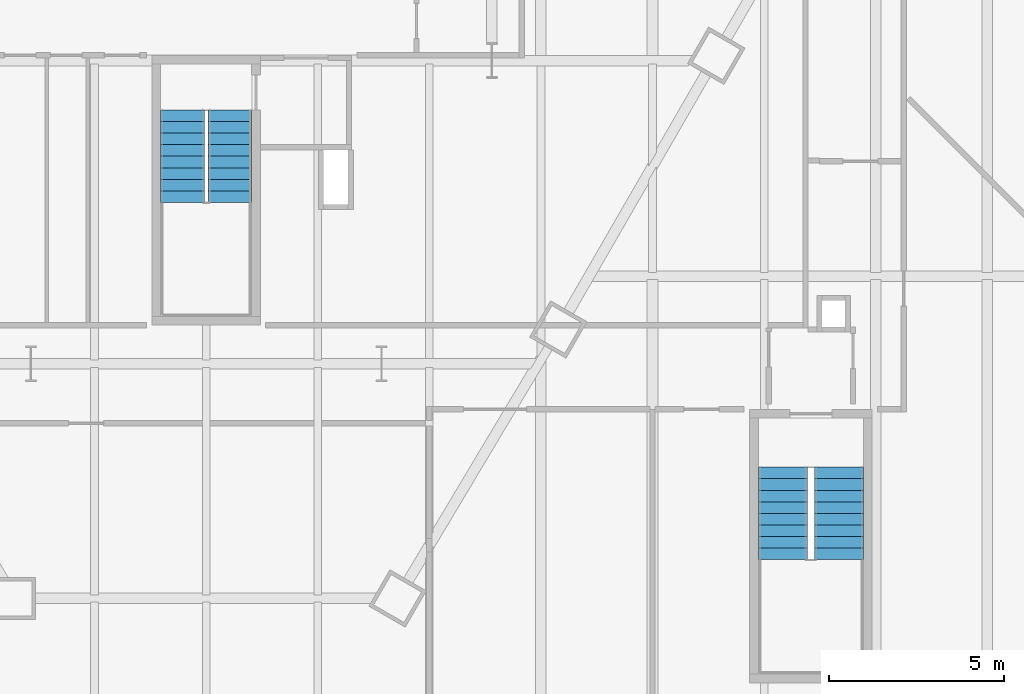
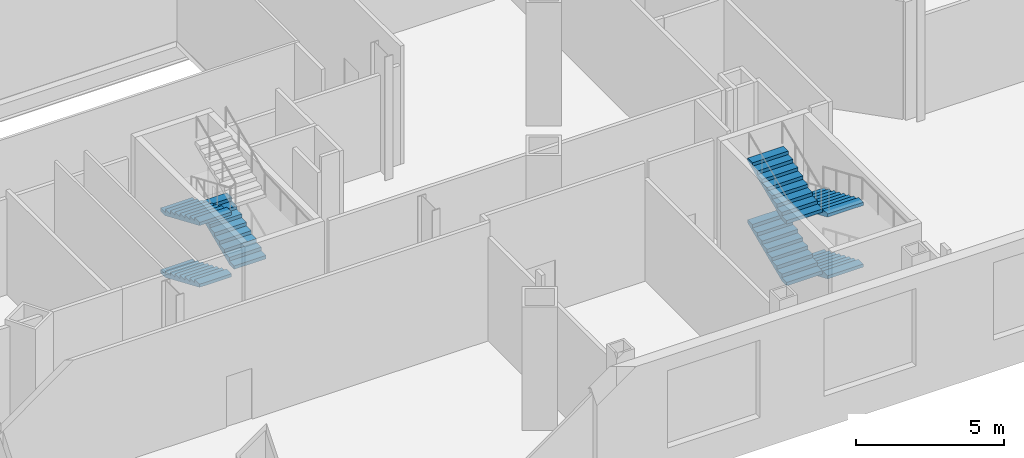
# One storey, part 16 of 20: 7 stair flights, 2 elements without a shape of their own.
"""IFC4 building model written with IfcOpenShell, lengths in metres."""

from ifc_helpers import new_model, si_unit, direction, frame, origin, place, context, subcontext, project, spatial, polygons, material, type_object, element, aggregate, save


model = new_model("IFC4")

# Units and contexts
model_context = context("Model", 3, precision=1e-05, world=origin(), true_north=direction((0.0, 1.0)))
body_context = subcontext(model_context, "Body", "Model", "MODEL_VIEW")
ifc_project = project(units=[si_unit("LENGTHUNIT", "METRE"), si_unit("AREAUNIT", "SQUARE_METRE"), si_unit("VOLUMEUNIT", "CUBIC_METRE"), si_unit("PLANEANGLEUNIT", "RADIAN"), si_unit("MASSUNIT", "GRAM", prefix="KILO")], contexts=[model_context])

# Site, building, storey
site_placement = place(None, origin())
site = spatial("IfcSite", under=ifc_project, at=site_placement, CompositionType="ELEMENT")
building_placement = place(site_placement, origin())
building = spatial("IfcBuilding", under=site, at=building_placement, Name="Njiva Tower", CompositionType="ELEMENT")
storey_placement = place(building_placement, frame((0.0, 0.0, 18.6)))
storey = spatial("IfcBuildingStorey", under=building, at=storey_placement, Name="L03", CompositionType="ELEMENT", Elevation=18.6)

# Stair, stair flights
ifc_material = material(Name="Concrete C40/50", Category="concrete")
stair_type_1 = type_object("IfcStairType", Name="ST1 Exit stair 1250", PredefinedType="HALF_TURN_STAIR", material=ifc_material)
stair_1_placement = place(storey_placement, origin())
stair_1 = element("IfcStair", 1, at=stair_1_placement, inside=storey, type_object=stair_type_1, Name="Stair C", PredefinedType="DOUBLE_RETURN_STAIR")
stair_flight_type_1 = type_object("IfcStairFlightType", Name="FL1 Stair flight 1250", PredefinedType="STRAIGHT", material=ifc_material)
stair_flight_1_placement = place(storey_placement, frame((-0.675, -15.16, 0.0), z_axis=(0.0, 0.0, 1.0), x_axis=(0.0, -1.0, 0.0)))
stair_flight_1 = element("IfcStairFlight", 2, at=stair_flight_1_placement, type_object=stair_flight_type_1, Name="ST-C flight 1", NumberOfRisers=9, NumberOfTreads=8, PredefinedType="STRAIGHT", RiserHeight=0.141666667, TreadLength=0.33, context=body_context, shape_type="Tessellation", body=[
    polygons([(0.0, 0.625, 0.0), (0.0, 0.3125, 0.0), (0.0, 0.0, 0.0), (0.0, -0.3125, 0.0), (0.0, -0.625, 0.0), (0.0, 0.625, 0.1417), (0.0, 0.3125, 0.1417), (0.0, 0.0, 0.1417), (0.0, -0.3125, 0.1417), (0.0, -0.625, 0.1417), (0.33, 0.625, 0.1417), (0.33, 0.3125, 0.1417), (0.33, 0.0, 0.1417), (0.33, -0.3125, 0.1417), (0.33, -0.625, 0.1417), (0.33, 0.625, 0.2833), (0.33, 0.3125, 0.2833), (0.33, 0.0, 0.2833), (0.33, -0.3125, 0.2833), (0.33, -0.625, 0.2833), (0.66, 0.625, 0.2833), (0.66, 0.3125, 0.2833), (0.66, 0.0, 0.2833), (0.66, -0.3125, 0.2833), (0.66, -0.625, 0.2833), (0.66, 0.625, 0.425), (0.66, 0.3125, 0.425), (0.66, 0.0, 0.425), (0.66, -0.3125, 0.425), (0.66, -0.625, 0.425), (0.99, 0.625, 0.425), (0.99, 0.3125, 0.425), (0.99, 0.0, 0.425), (0.99, -0.3125, 0.425), (0.99, -0.625, 0.425), (0.99, 0.625, 0.5667), (0.99, 0.3125, 0.5667), (0.99, 0.0, 0.5667), (0.99, -0.3125, 0.5667), (0.99, -0.625, 0.5667), (1.32, 0.625, 0.5667), (1.32, 0.3125, 0.5667), (1.32, 0.0, 0.5667), (1.32, -0.3125, 0.5667), (1.32, -0.625, 0.5667), (1.32, 0.625, 0.7083), (1.32, 0.3125, 0.7083), (1.32, 0.0, 0.7083), (1.32, -0.3125, 0.7083), (1.32, -0.625, 0.7083), (1.65, 0.625, 0.7083), (1.65, 0.3125, 0.7083), (1.65, 0.0, 0.7083), (1.65, -0.3125, 0.7083), (1.65, -0.625, 0.7083), (1.65, 0.625, 0.85), (1.65, 0.3125, 0.85), (1.65, 0.0, 0.85), (1.65, -0.3125, 0.85), (1.65, -0.625, 0.85), (1.98, 0.625, 0.85), (1.98, 0.3125, 0.85), (1.98, 0.0, 0.85), (1.98, -0.3125, 0.85), (1.98, -0.625, 0.85), (1.98, 0.625, 0.9917), (1.98, 0.3125, 0.9917), (1.98, 0.0, 0.9917), (1.98, -0.3125, 0.9917), (1.98, -0.625, 0.9917), (2.31, 0.625, 0.9917), (2.31, 0.3125, 0.9917), (2.31, 0.0, 0.9917), (2.31, -0.3125, 0.9917), (2.31, -0.625, 0.9917), (2.31, 0.625, 1.1333), (2.31, 0.3125, 1.1333), (2.31, 0.0, 1.1333), (2.31, -0.3125, 1.1333), (2.31, -0.625, 1.1333), (2.64, 0.625, 1.1333), (2.64, 0.3125, 1.1333), (2.64, 0.0, 1.1333), (2.64, -0.3125, 1.1333), (2.64, -0.625, 1.1333), (2.64, 0.625, 1.0027), (2.64, 0.3125, 1.0027), (2.64, 0.0, 1.0027), (2.64, -0.3125, 1.0027), (2.64, -0.625, 1.0027), (0.3042, 0.625, 0.0), (0.3042, 0.3125, 0.0), (0.3042, 0.0, 0.0), (0.3042, -0.3125, 0.0), (0.3042, -0.625, 0.0)], [[[1, 6, 11, 16, 21, 26, 31, 36, 41, 46, 51, 56, 61, 66, 71, 76, 81, 86, 91]], [[95, 90, 85, 80, 75, 70, 65, 60, 55, 50, 45, 40, 35, 30, 25, 20, 15, 10, 5]], [[6, 1, 2, 7]], [[7, 2, 3, 8]], [[8, 3, 4, 9]], [[9, 4, 5, 10]], [[11, 6, 7, 12]], [[12, 7, 8, 13]], [[13, 8, 9, 14]], [[14, 9, 10, 15]], [[16, 11, 12, 17]], [[17, 12, 13, 18]], [[18, 13, 14, 19]], [[19, 14, 15, 20]], [[21, 16, 17, 22]], [[22, 17, 18, 23]], [[23, 18, 19, 24]], [[24, 19, 20, 25]], [[26, 21, 22, 27]], [[27, 22, 23, 28]], [[28, 23, 24, 29]], [[29, 24, 25, 30]], [[31, 26, 27, 32]], [[32, 27, 28, 33]], [[33, 28, 29, 34]], [[34, 29, 30, 35]], [[36, 31, 32, 37]], [[37, 32, 33, 38]], [[38, 33, 34, 39]], [[39, 34, 35, 40]], [[41, 36, 37, 42]], [[42, 37, 38, 43]], [[43, 38, 39, 44]], [[44, 39, 40, 45]], [[46, 41, 42, 47]], [[47, 42, 43, 48]], [[48, 43, 44, 49]], [[49, 44, 45, 50]], [[51, 46, 47, 52]], [[52, 47, 48, 53]], [[53, 48, 49, 54]], [[54, 49, 50, 55]], [[56, 51, 52, 57]], [[57, 52, 53, 58]], [[58, 53, 54, 59]], [[59, 54, 55, 60]], [[61, 56, 57, 62]], [[62, 57, 58, 63]], [[63, 58, 59, 64]], [[64, 59, 60, 65]], [[66, 61, 62, 67]], [[67, 62, 63, 68]], [[68, 63, 64, 69]], [[69, 64, 65, 70]], [[71, 66, 67, 72]], [[72, 67, 68, 73]], [[73, 68, 69, 74]], [[74, 69, 70, 75]], [[76, 71, 72, 77]], [[77, 72, 73, 78]], [[78, 73, 74, 79]], [[79, 74, 75, 80]], [[81, 76, 77, 82]], [[82, 77, 78, 83]], [[83, 78, 79, 84]], [[84, 79, 80, 85]], [[86, 81, 82, 87]], [[87, 82, 83, 88]], [[88, 83, 84, 89]], [[89, 84, 85, 90]], [[91, 86, 87, 92]], [[92, 87, 88, 93]], [[93, 88, 89, 94]], [[94, 89, 90, 95]], [[1, 91, 92, 2]], [[2, 92, 93, 3]], [[3, 93, 94, 4]], [[4, 94, 95, 5]]], closed=True),
])
stair_flight_2_placement = place(storey_placement, frame((0.675, -17.8, 1.275), z_axis=(0.0, 0.0, 1.0), x_axis=(0.0, 1.0, 0.0)))
stair_flight_2 = element("IfcStairFlight", 3, at=stair_flight_2_placement, type_object=stair_flight_type_1, Name="ST-C flight 2", NumberOfRisers=9, NumberOfTreads=8, PredefinedType="STRAIGHT", RiserHeight=0.141666667, TreadLength=0.33, context=body_context, shape_type="Tessellation", body=[
    polygons([(0.0, 0.625, 0.0), (0.0, 0.3125, 0.0), (0.0, 0.0, 0.0), (0.0, -0.3125, 0.0), (0.0, -0.625, 0.0), (0.0, 0.625, 0.1417), (0.0, 0.3125, 0.1417), (0.0, 0.0, 0.1417), (0.0, -0.3125, 0.1417), (0.0, -0.625, 0.1417), (0.33, 0.625, 0.1417), (0.33, 0.3125, 0.1417), (0.33, 0.0, 0.1417), (0.33, -0.3125, 0.1417), (0.33, -0.625, 0.1417), (0.33, 0.625, 0.2833), (0.33, 0.3125, 0.2833), (0.33, 0.0, 0.2833), (0.33, -0.3125, 0.2833), (0.33, -0.625, 0.2833), (0.66, 0.625, 0.2833), (0.66, 0.3125, 0.2833), (0.66, 0.0, 0.2833), (0.66, -0.3125, 0.2833), (0.66, -0.625, 0.2833), (0.66, 0.625, 0.425), (0.66, 0.3125, 0.425), (0.66, 0.0, 0.425), (0.66, -0.3125, 0.425), (0.66, -0.625, 0.425), (0.99, 0.625, 0.425), (0.99, 0.3125, 0.425), (0.99, 0.0, 0.425), (0.99, -0.3125, 0.425), (0.99, -0.625, 0.425), (0.99, 0.625, 0.5667), (0.99, 0.3125, 0.5667), (0.99, 0.0, 0.5667), (0.99, -0.3125, 0.5667), (0.99, -0.625, 0.5667), (1.32, 0.625, 0.5667), (1.32, 0.3125, 0.5667), (1.32, 0.0, 0.5667), (1.32, -0.3125, 0.5667), (1.32, -0.625, 0.5667), (1.32, 0.625, 0.7083), (1.32, 0.3125, 0.7083), (1.32, 0.0, 0.7083), (1.32, -0.3125, 0.7083), (1.32, -0.625, 0.7083), (1.65, 0.625, 0.7083), (1.65, 0.3125, 0.7083), (1.65, 0.0, 0.7083), (1.65, -0.3125, 0.7083), (1.65, -0.625, 0.7083), (1.65, 0.625, 0.85), (1.65, 0.3125, 0.85), (1.65, 0.0, 0.85), (1.65, -0.3125, 0.85), (1.65, -0.625, 0.85), (1.98, 0.625, 0.85), (1.98, 0.3125, 0.85), (1.98, 0.0, 0.85), (1.98, -0.3125, 0.85), (1.98, -0.625, 0.85), (1.98, 0.625, 0.9917), (1.98, 0.3125, 0.9917), (1.98, 0.0, 0.9917), (1.98, -0.3125, 0.9917), (1.98, -0.625, 0.9917), (2.31, 0.625, 0.9917), (2.31, 0.3125, 0.9917), (2.31, 0.0, 0.9917), (2.31, -0.3125, 0.9917), (2.31, -0.625, 0.9917), (2.31, 0.625, 1.1333), (2.31, 0.3125, 1.1333), (2.31, 0.0, 1.1333), (2.31, -0.3125, 1.1333), (2.31, -0.625, 1.1333), (2.64, 0.625, 1.1333), (2.64, 0.3125, 1.1333), (2.64, 0.0, 1.1333), (2.64, -0.3125, 1.1333), (2.64, -0.625, 1.1333), (2.64, 0.625, 1.0027), (2.64, 0.3125, 1.0027), (2.64, 0.0, 1.0027), (2.64, -0.3125, 1.0027), (2.64, -0.625, 1.0027), (0.3042, 0.625, 0.0), (0.3042, 0.3125, 0.0), (0.3042, 0.0, 0.0), (0.3042, -0.3125, 0.0), (0.3042, -0.625, 0.0)], [[[1, 6, 11, 16, 21, 26, 31, 36, 41, 46, 51, 56, 61, 66, 71, 76, 81, 86, 91]], [[95, 90, 85, 80, 75, 70, 65, 60, 55, 50, 45, 40, 35, 30, 25, 20, 15, 10, 5]], [[6, 1, 2, 7]], [[7, 2, 3, 8]], [[8, 3, 4, 9]], [[9, 4, 5, 10]], [[11, 6, 7, 12]], [[12, 7, 8, 13]], [[13, 8, 9, 14]], [[14, 9, 10, 15]], [[16, 11, 12, 17]], [[17, 12, 13, 18]], [[18, 13, 14, 19]], [[19, 14, 15, 20]], [[21, 16, 17, 22]], [[22, 17, 18, 23]], [[23, 18, 19, 24]], [[24, 19, 20, 25]], [[26, 21, 22, 27]], [[27, 22, 23, 28]], [[28, 23, 24, 29]], [[29, 24, 25, 30]], [[31, 26, 27, 32]], [[32, 27, 28, 33]], [[33, 28, 29, 34]], [[34, 29, 30, 35]], [[36, 31, 32, 37]], [[37, 32, 33, 38]], [[38, 33, 34, 39]], [[39, 34, 35, 40]], [[41, 36, 37, 42]], [[42, 37, 38, 43]], [[43, 38, 39, 44]], [[44, 39, 40, 45]], [[46, 41, 42, 47]], [[47, 42, 43, 48]], [[48, 43, 44, 49]], [[49, 44, 45, 50]], [[51, 46, 47, 52]], [[52, 47, 48, 53]], [[53, 48, 49, 54]], [[54, 49, 50, 55]], [[56, 51, 52, 57]], [[57, 52, 53, 58]], [[58, 53, 54, 59]], [[59, 54, 55, 60]], [[61, 56, 57, 62]], [[62, 57, 58, 63]], [[63, 58, 59, 64]], [[64, 59, 60, 65]], [[66, 61, 62, 67]], [[67, 62, 63, 68]], [[68, 63, 64, 69]], [[69, 64, 65, 70]], [[71, 66, 67, 72]], [[72, 67, 68, 73]], [[73, 68, 69, 74]], [[74, 69, 70, 75]], [[76, 71, 72, 77]], [[77, 72, 73, 78]], [[78, 73, 74, 79]], [[79, 74, 75, 80]], [[81, 76, 77, 82]], [[82, 77, 78, 83]], [[83, 78, 79, 84]], [[84, 79, 80, 85]], [[86, 81, 82, 87]], [[87, 82, 83, 88]], [[88, 83, 84, 89]], [[89, 84, 85, 90]], [[91, 86, 87, 92]], [[92, 87, 88, 93]], [[93, 88, 89, 94]], [[94, 89, 90, 95]], [[1, 91, 92, 2]], [[2, 92, 93, 3]], [[3, 93, 94, 4]], [[4, 94, 95, 5]]], closed=True),
])
stair_flight_3_placement = place(storey_placement, frame((-0.675, -15.16, 2.55), z_axis=(0.0, 0.0, 1.0), x_axis=(0.0, -1.0, 0.0)))
stair_flight_3 = element("IfcStairFlight", 4, at=stair_flight_3_placement, type_object=stair_flight_type_1, Name="ST-C flight 3", NumberOfRisers=9, NumberOfTreads=8, PredefinedType="STRAIGHT", RiserHeight=0.141666667, TreadLength=0.33, context=body_context, shape_type="Tessellation", body=[
    polygons([(0.0, 0.625, 0.0), (0.0, 0.3125, 0.0), (0.0, 0.0, 0.0), (0.0, -0.3125, 0.0), (0.0, -0.625, 0.0), (0.0, 0.625, 0.1417), (0.0, 0.3125, 0.1417), (0.0, 0.0, 0.1417), (0.0, -0.3125, 0.1417), (0.0, -0.625, 0.1417), (0.33, 0.625, 0.1417), (0.33, 0.3125, 0.1417), (0.33, 0.0, 0.1417), (0.33, -0.3125, 0.1417), (0.33, -0.625, 0.1417), (0.33, 0.625, 0.2833), (0.33, 0.3125, 0.2833), (0.33, 0.0, 0.2833), (0.33, -0.3125, 0.2833), (0.33, -0.625, 0.2833), (0.66, 0.625, 0.2833), (0.66, 0.3125, 0.2833), (0.66, 0.0, 0.2833), (0.66, -0.3125, 0.2833), (0.66, -0.625, 0.2833), (0.66, 0.625, 0.425), (0.66, 0.3125, 0.425), (0.66, 0.0, 0.425), (0.66, -0.3125, 0.425), (0.66, -0.625, 0.425), (0.99, 0.625, 0.425), (0.99, 0.3125, 0.425), (0.99, 0.0, 0.425), (0.99, -0.3125, 0.425), (0.99, -0.625, 0.425), (0.99, 0.625, 0.5667), (0.99, 0.3125, 0.5667), (0.99, 0.0, 0.5667), (0.99, -0.3125, 0.5667), (0.99, -0.625, 0.5667), (1.32, 0.625, 0.5667), (1.32, 0.3125, 0.5667), (1.32, 0.0, 0.5667), (1.32, -0.3125, 0.5667), (1.32, -0.625, 0.5667), (1.32, 0.625, 0.7083), (1.32, 0.3125, 0.7083), (1.32, 0.0, 0.7083), (1.32, -0.3125, 0.7083), (1.32, -0.625, 0.7083), (1.65, 0.625, 0.7083), (1.65, 0.3125, 0.7083), (1.65, 0.0, 0.7083), (1.65, -0.3125, 0.7083), (1.65, -0.625, 0.7083), (1.65, 0.625, 0.85), (1.65, 0.3125, 0.85), (1.65, 0.0, 0.85), (1.65, -0.3125, 0.85), (1.65, -0.625, 0.85), (1.98, 0.625, 0.85), (1.98, 0.3125, 0.85), (1.98, 0.0, 0.85), (1.98, -0.3125, 0.85), (1.98, -0.625, 0.85), (1.98, 0.625, 0.9917), (1.98, 0.3125, 0.9917), (1.98, 0.0, 0.9917), (1.98, -0.3125, 0.9917), (1.98, -0.625, 0.9917), (2.31, 0.625, 0.9917), (2.31, 0.3125, 0.9917), (2.31, 0.0, 0.9917), (2.31, -0.3125, 0.9917), (2.31, -0.625, 0.9917), (2.31, 0.625, 1.1333), (2.31, 0.3125, 1.1333), (2.31, 0.0, 1.1333), (2.31, -0.3125, 1.1333), (2.31, -0.625, 1.1333), (2.64, 0.625, 1.1333), (2.64, 0.3125, 1.1333), (2.64, 0.0, 1.1333), (2.64, -0.3125, 1.1333), (2.64, -0.625, 1.1333), (2.64, 0.625, 1.0027), (2.64, 0.3125, 1.0027), (2.64, 0.0, 1.0027), (2.64, -0.3125, 1.0027), (2.64, -0.625, 1.0027), (0.3042, 0.625, 0.0), (0.3042, 0.3125, 0.0), (0.3042, 0.0, 0.0), (0.3042, -0.3125, 0.0), (0.3042, -0.625, 0.0)], [[[1, 6, 11, 16, 21, 26, 31, 36, 41, 46, 51, 56, 61, 66, 71, 76, 81, 86, 91]], [[95, 90, 85, 80, 75, 70, 65, 60, 55, 50, 45, 40, 35, 30, 25, 20, 15, 10, 5]], [[6, 1, 2, 7]], [[7, 2, 3, 8]], [[8, 3, 4, 9]], [[9, 4, 5, 10]], [[11, 6, 7, 12]], [[12, 7, 8, 13]], [[13, 8, 9, 14]], [[14, 9, 10, 15]], [[16, 11, 12, 17]], [[17, 12, 13, 18]], [[18, 13, 14, 19]], [[19, 14, 15, 20]], [[21, 16, 17, 22]], [[22, 17, 18, 23]], [[23, 18, 19, 24]], [[24, 19, 20, 25]], [[26, 21, 22, 27]], [[27, 22, 23, 28]], [[28, 23, 24, 29]], [[29, 24, 25, 30]], [[31, 26, 27, 32]], [[32, 27, 28, 33]], [[33, 28, 29, 34]], [[34, 29, 30, 35]], [[36, 31, 32, 37]], [[37, 32, 33, 38]], [[38, 33, 34, 39]], [[39, 34, 35, 40]], [[41, 36, 37, 42]], [[42, 37, 38, 43]], [[43, 38, 39, 44]], [[44, 39, 40, 45]], [[46, 41, 42, 47]], [[47, 42, 43, 48]], [[48, 43, 44, 49]], [[49, 44, 45, 50]], [[51, 46, 47, 52]], [[52, 47, 48, 53]], [[53, 48, 49, 54]], [[54, 49, 50, 55]], [[56, 51, 52, 57]], [[57, 52, 53, 58]], [[58, 53, 54, 59]], [[59, 54, 55, 60]], [[61, 56, 57, 62]], [[62, 57, 58, 63]], [[63, 58, 59, 64]], [[64, 59, 60, 65]], [[66, 61, 62, 67]], [[67, 62, 63, 68]], [[68, 63, 64, 69]], [[69, 64, 65, 70]], [[71, 66, 67, 72]], [[72, 67, 68, 73]], [[73, 68, 69, 74]], [[74, 69, 70, 75]], [[76, 71, 72, 77]], [[77, 72, 73, 78]], [[78, 73, 74, 79]], [[79, 74, 75, 80]], [[81, 76, 77, 82]], [[82, 77, 78, 83]], [[83, 78, 79, 84]], [[84, 79, 80, 85]], [[86, 81, 82, 87]], [[87, 82, 83, 88]], [[88, 83, 84, 89]], [[89, 84, 85, 90]], [[91, 86, 87, 92]], [[92, 87, 88, 93]], [[93, 88, 89, 94]], [[94, 89, 90, 95]], [[1, 91, 92, 2]], [[2, 92, 93, 3]], [[3, 93, 94, 4]], [[4, 94, 95, 5]]], closed=True),
])
aggregate(stair_1, [stair_flight_1, stair_flight_2, stair_flight_3])

stair_type_2 = type_object("IfcStairType", Name="ST2 Exit stair 1400", PredefinedType="HALF_TURN_STAIR", material=ifc_material)
stair_2_placement = place(storey_placement, origin())
stair_2 = element("IfcStair", 5, at=stair_2_placement, inside=storey, type_object=stair_type_2, Name="Stair E", PredefinedType="DOUBLE_RETURN_STAIR")
stair_flight_type_2 = type_object("IfcStairFlightType", Name="FL2 Stair flight 1400", PredefinedType="STRAIGHT", material=ifc_material)
stair_flight_4_placement = place(storey_placement, frame((18.05, -25.35, 0.0), z_axis=(0.0, 0.0, 1.0), x_axis=(0.0, -1.0, 0.0)))
stair_flight_4 = element("IfcStairFlight", 6, at=stair_flight_4_placement, type_object=stair_flight_type_2, Name="ST-E flight 1", NumberOfRisers=9, NumberOfTreads=8, PredefinedType="STRAIGHT", RiserHeight=0.141666667, TreadLength=0.33, context=body_context, shape_type="Tessellation", body=[
    polygons([(0.0, 0.7, 0.0), (0.0, 0.35, 0.0), (0.0, 0.0, 0.0), (0.0, -0.35, 0.0), (0.0, -0.7, 0.0), (0.0, 0.7, 0.1417), (0.0, 0.35, 0.1417), (0.0, 0.0, 0.1417), (0.0, -0.35, 0.1417), (0.0, -0.7, 0.1417), (0.33, 0.7, 0.1417), (0.33, 0.35, 0.1417), (0.33, 0.0, 0.1417), (0.33, -0.35, 0.1417), (0.33, -0.7, 0.1417), (0.33, 0.7, 0.2833), (0.33, 0.35, 0.2833), (0.33, 0.0, 0.2833), (0.33, -0.35, 0.2833), (0.33, -0.7, 0.2833), (0.66, 0.7, 0.2833), (0.66, 0.35, 0.2833), (0.66, 0.0, 0.2833), (0.66, -0.35, 0.2833), (0.66, -0.7, 0.2833), (0.66, 0.7, 0.425), (0.66, 0.35, 0.425), (0.66, 0.0, 0.425), (0.66, -0.35, 0.425), (0.66, -0.7, 0.425), (0.99, 0.7, 0.425), (0.99, 0.35, 0.425), (0.99, 0.0, 0.425), (0.99, -0.35, 0.425), (0.99, -0.7, 0.425), (0.99, 0.7, 0.5667), (0.99, 0.35, 0.5667), (0.99, 0.0, 0.5667), (0.99, -0.35, 0.5667), (0.99, -0.7, 0.5667), (1.32, 0.7, 0.5667), (1.32, 0.35, 0.5667), (1.32, 0.0, 0.5667), (1.32, -0.35, 0.5667), (1.32, -0.7, 0.5667), (1.32, 0.7, 0.7083), (1.32, 0.35, 0.7083), (1.32, 0.0, 0.7083), (1.32, -0.35, 0.7083), (1.32, -0.7, 0.7083), (1.65, 0.7, 0.7083), (1.65, 0.35, 0.7083), (1.65, 0.0, 0.7083), (1.65, -0.35, 0.7083), (1.65, -0.7, 0.7083), (1.65, 0.7, 0.85), (1.65, 0.35, 0.85), (1.65, 0.0, 0.85), (1.65, -0.35, 0.85), (1.65, -0.7, 0.85), (1.98, 0.7, 0.85), (1.98, 0.35, 0.85), (1.98, 0.0, 0.85), (1.98, -0.35, 0.85), (1.98, -0.7, 0.85), (1.98, 0.7, 0.9917), (1.98, 0.35, 0.9917), (1.98, 0.0, 0.9917), (1.98, -0.35, 0.9917), (1.98, -0.7, 0.9917), (2.31, 0.7, 0.9917), (2.31, 0.35, 0.9917), (2.31, 0.0, 0.9917), (2.31, -0.35, 0.9917), (2.31, -0.7, 0.9917), (2.31, 0.7, 1.1333), (2.31, 0.35, 1.1333), (2.31, 0.0, 1.1333), (2.31, -0.35, 1.1333), (2.31, -0.7, 1.1333), (2.64, 0.7, 1.1333), (2.64, 0.35, 1.1333), (2.64, 0.0, 1.1333), (2.64, -0.35, 1.1333), (2.64, -0.7, 1.1333), (2.64, 0.7, 1.0027), (2.64, 0.35, 1.0027), (2.64, 0.0, 1.0027), (2.64, -0.35, 1.0027), (2.64, -0.7, 1.0027), (0.3042, 0.7, 0.0), (0.3042, 0.35, 0.0), (0.3042, 0.0, 0.0), (0.3042, -0.35, 0.0), (0.3042, -0.7, 0.0)], [[[1, 6, 11, 16, 21, 26, 31, 36, 41, 46, 51, 56, 61, 66, 71, 76, 81, 86, 91]], [[95, 90, 85, 80, 75, 70, 65, 60, 55, 50, 45, 40, 35, 30, 25, 20, 15, 10, 5]], [[6, 1, 2, 7]], [[7, 2, 3, 8]], [[8, 3, 4, 9]], [[9, 4, 5, 10]], [[11, 6, 7, 12]], [[12, 7, 8, 13]], [[13, 8, 9, 14]], [[14, 9, 10, 15]], [[16, 11, 12, 17]], [[17, 12, 13, 18]], [[18, 13, 14, 19]], [[19, 14, 15, 20]], [[21, 16, 17, 22]], [[22, 17, 18, 23]], [[23, 18, 19, 24]], [[24, 19, 20, 25]], [[26, 21, 22, 27]], [[27, 22, 23, 28]], [[28, 23, 24, 29]], [[29, 24, 25, 30]], [[31, 26, 27, 32]], [[32, 27, 28, 33]], [[33, 28, 29, 34]], [[34, 29, 30, 35]], [[36, 31, 32, 37]], [[37, 32, 33, 38]], [[38, 33, 34, 39]], [[39, 34, 35, 40]], [[41, 36, 37, 42]], [[42, 37, 38, 43]], [[43, 38, 39, 44]], [[44, 39, 40, 45]], [[46, 41, 42, 47]], [[47, 42, 43, 48]], [[48, 43, 44, 49]], [[49, 44, 45, 50]], [[51, 46, 47, 52]], [[52, 47, 48, 53]], [[53, 48, 49, 54]], [[54, 49, 50, 55]], [[56, 51, 52, 57]], [[57, 52, 53, 58]], [[58, 53, 54, 59]], [[59, 54, 55, 60]], [[61, 56, 57, 62]], [[62, 57, 58, 63]], [[63, 58, 59, 64]], [[64, 59, 60, 65]], [[66, 61, 62, 67]], [[67, 62, 63, 68]], [[68, 63, 64, 69]], [[69, 64, 65, 70]], [[71, 66, 67, 72]], [[72, 67, 68, 73]], [[73, 68, 69, 74]], [[74, 69, 70, 75]], [[76, 71, 72, 77]], [[77, 72, 73, 78]], [[78, 73, 74, 79]], [[79, 74, 75, 80]], [[81, 76, 77, 82]], [[82, 77, 78, 83]], [[83, 78, 79, 84]], [[84, 79, 80, 85]], [[86, 81, 82, 87]], [[87, 82, 83, 88]], [[88, 83, 84, 89]], [[89, 84, 85, 90]], [[91, 86, 87, 92]], [[92, 87, 88, 93]], [[93, 88, 89, 94]], [[94, 89, 90, 95]], [[1, 91, 92, 2]], [[2, 92, 93, 3]], [[3, 93, 94, 4]], [[4, 94, 95, 5]]], closed=True),
])
stair_flight_5_placement = place(storey_placement, frame((16.45, -27.99, 1.275), z_axis=(0.0, 0.0, 1.0), x_axis=(0.0, 1.0, 0.0)))
stair_flight_5 = element("IfcStairFlight", 7, at=stair_flight_5_placement, type_object=stair_flight_type_2, Name="ST-E flight 2", NumberOfRisers=9, NumberOfTreads=8, PredefinedType="STRAIGHT", RiserHeight=0.141666667, TreadLength=0.33, context=body_context, shape_type="Tessellation", body=[
    polygons([(0.0, 0.7, 0.0), (0.0, 0.35, 0.0), (0.0, 0.0, 0.0), (0.0, -0.35, 0.0), (0.0, -0.7, 0.0), (0.0, 0.7, 0.1417), (0.0, 0.35, 0.1417), (0.0, 0.0, 0.1417), (0.0, -0.35, 0.1417), (0.0, -0.7, 0.1417), (0.33, 0.7, 0.1417), (0.33, 0.35, 0.1417), (0.33, 0.0, 0.1417), (0.33, -0.35, 0.1417), (0.33, -0.7, 0.1417), (0.33, 0.7, 0.2833), (0.33, 0.35, 0.2833), (0.33, 0.0, 0.2833), (0.33, -0.35, 0.2833), (0.33, -0.7, 0.2833), (0.66, 0.7, 0.2833), (0.66, 0.35, 0.2833), (0.66, 0.0, 0.2833), (0.66, -0.35, 0.2833), (0.66, -0.7, 0.2833), (0.66, 0.7, 0.425), (0.66, 0.35, 0.425), (0.66, 0.0, 0.425), (0.66, -0.35, 0.425), (0.66, -0.7, 0.425), (0.99, 0.7, 0.425), (0.99, 0.35, 0.425), (0.99, 0.0, 0.425), (0.99, -0.35, 0.425), (0.99, -0.7, 0.425), (0.99, 0.7, 0.5667), (0.99, 0.35, 0.5667), (0.99, 0.0, 0.5667), (0.99, -0.35, 0.5667), (0.99, -0.7, 0.5667), (1.32, 0.7, 0.5667), (1.32, 0.35, 0.5667), (1.32, 0.0, 0.5667), (1.32, -0.35, 0.5667), (1.32, -0.7, 0.5667), (1.32, 0.7, 0.7083), (1.32, 0.35, 0.7083), (1.32, 0.0, 0.7083), (1.32, -0.35, 0.7083), (1.32, -0.7, 0.7083), (1.65, 0.7, 0.7083), (1.65, 0.35, 0.7083), (1.65, 0.0, 0.7083), (1.65, -0.35, 0.7083), (1.65, -0.7, 0.7083), (1.65, 0.7, 0.85), (1.65, 0.35, 0.85), (1.65, 0.0, 0.85), (1.65, -0.35, 0.85), (1.65, -0.7, 0.85), (1.98, 0.7, 0.85), (1.98, 0.35, 0.85), (1.98, 0.0, 0.85), (1.98, -0.35, 0.85), (1.98, -0.7, 0.85), (1.98, 0.7, 0.9917), (1.98, 0.35, 0.9917), (1.98, 0.0, 0.9917), (1.98, -0.35, 0.9917), (1.98, -0.7, 0.9917), (2.31, 0.7, 0.9917), (2.31, 0.35, 0.9917), (2.31, 0.0, 0.9917), (2.31, -0.35, 0.9917), (2.31, -0.7, 0.9917), (2.31, 0.7, 1.1333), (2.31, 0.35, 1.1333), (2.31, 0.0, 1.1333), (2.31, -0.35, 1.1333), (2.31, -0.7, 1.1333), (2.64, 0.7, 1.1333), (2.64, 0.35, 1.1333), (2.64, 0.0, 1.1333), (2.64, -0.35, 1.1333), (2.64, -0.7, 1.1333), (2.64, 0.7, 1.0027), (2.64, 0.35, 1.0027), (2.64, 0.0, 1.0027), (2.64, -0.35, 1.0027), (2.64, -0.7, 1.0027), (0.3042, 0.7, 0.0), (0.3042, 0.35, 0.0), (0.3042, 0.0, 0.0), (0.3042, -0.35, 0.0), (0.3042, -0.7, 0.0)], [[[1, 6, 11, 16, 21, 26, 31, 36, 41, 46, 51, 56, 61, 66, 71, 76, 81, 86, 91]], [[95, 90, 85, 80, 75, 70, 65, 60, 55, 50, 45, 40, 35, 30, 25, 20, 15, 10, 5]], [[6, 1, 2, 7]], [[7, 2, 3, 8]], [[8, 3, 4, 9]], [[9, 4, 5, 10]], [[11, 6, 7, 12]], [[12, 7, 8, 13]], [[13, 8, 9, 14]], [[14, 9, 10, 15]], [[16, 11, 12, 17]], [[17, 12, 13, 18]], [[18, 13, 14, 19]], [[19, 14, 15, 20]], [[21, 16, 17, 22]], [[22, 17, 18, 23]], [[23, 18, 19, 24]], [[24, 19, 20, 25]], [[26, 21, 22, 27]], [[27, 22, 23, 28]], [[28, 23, 24, 29]], [[29, 24, 25, 30]], [[31, 26, 27, 32]], [[32, 27, 28, 33]], [[33, 28, 29, 34]], [[34, 29, 30, 35]], [[36, 31, 32, 37]], [[37, 32, 33, 38]], [[38, 33, 34, 39]], [[39, 34, 35, 40]], [[41, 36, 37, 42]], [[42, 37, 38, 43]], [[43, 38, 39, 44]], [[44, 39, 40, 45]], [[46, 41, 42, 47]], [[47, 42, 43, 48]], [[48, 43, 44, 49]], [[49, 44, 45, 50]], [[51, 46, 47, 52]], [[52, 47, 48, 53]], [[53, 48, 49, 54]], [[54, 49, 50, 55]], [[56, 51, 52, 57]], [[57, 52, 53, 58]], [[58, 53, 54, 59]], [[59, 54, 55, 60]], [[61, 56, 57, 62]], [[62, 57, 58, 63]], [[63, 58, 59, 64]], [[64, 59, 60, 65]], [[66, 61, 62, 67]], [[67, 62, 63, 68]], [[68, 63, 64, 69]], [[69, 64, 65, 70]], [[71, 66, 67, 72]], [[72, 67, 68, 73]], [[73, 68, 69, 74]], [[74, 69, 70, 75]], [[76, 71, 72, 77]], [[77, 72, 73, 78]], [[78, 73, 74, 79]], [[79, 74, 75, 80]], [[81, 76, 77, 82]], [[82, 77, 78, 83]], [[83, 78, 79, 84]], [[84, 79, 80, 85]], [[86, 81, 82, 87]], [[87, 82, 83, 88]], [[88, 83, 84, 89]], [[89, 84, 85, 90]], [[91, 86, 87, 92]], [[92, 87, 88, 93]], [[93, 88, 89, 94]], [[94, 89, 90, 95]], [[1, 91, 92, 2]], [[2, 92, 93, 3]], [[3, 93, 94, 4]], [[4, 94, 95, 5]]], closed=True),
])
stair_flight_6_placement = place(storey_placement, frame((18.05, -25.35, 2.55), z_axis=(0.0, 0.0, 1.0), x_axis=(0.0, -1.0, 0.0)))
stair_flight_6 = element("IfcStairFlight", 8, at=stair_flight_6_placement, type_object=stair_flight_type_2, Name="ST-E flight 3", NumberOfRisers=9, NumberOfTreads=8, PredefinedType="STRAIGHT", RiserHeight=0.141666667, TreadLength=0.33, context=body_context, shape_type="Tessellation", body=[
    polygons([(0.0, 0.7, 0.0), (0.0, 0.35, 0.0), (0.0, 0.0, 0.0), (0.0, -0.35, 0.0), (0.0, -0.7, 0.0), (0.0, 0.7, 0.1417), (0.0, 0.35, 0.1417), (0.0, 0.0, 0.1417), (0.0, -0.35, 0.1417), (0.0, -0.7, 0.1417), (0.33, 0.7, 0.1417), (0.33, 0.35, 0.1417), (0.33, 0.0, 0.1417), (0.33, -0.35, 0.1417), (0.33, -0.7, 0.1417), (0.33, 0.7, 0.2833), (0.33, 0.35, 0.2833), (0.33, 0.0, 0.2833), (0.33, -0.35, 0.2833), (0.33, -0.7, 0.2833), (0.66, 0.7, 0.2833), (0.66, 0.35, 0.2833), (0.66, 0.0, 0.2833), (0.66, -0.35, 0.2833), (0.66, -0.7, 0.2833), (0.66, 0.7, 0.425), (0.66, 0.35, 0.425), (0.66, 0.0, 0.425), (0.66, -0.35, 0.425), (0.66, -0.7, 0.425), (0.99, 0.7, 0.425), (0.99, 0.35, 0.425), (0.99, 0.0, 0.425), (0.99, -0.35, 0.425), (0.99, -0.7, 0.425), (0.99, 0.7, 0.5667), (0.99, 0.35, 0.5667), (0.99, 0.0, 0.5667), (0.99, -0.35, 0.5667), (0.99, -0.7, 0.5667), (1.32, 0.7, 0.5667), (1.32, 0.35, 0.5667), (1.32, 0.0, 0.5667), (1.32, -0.35, 0.5667), (1.32, -0.7, 0.5667), (1.32, 0.7, 0.7083), (1.32, 0.35, 0.7083), (1.32, 0.0, 0.7083), (1.32, -0.35, 0.7083), (1.32, -0.7, 0.7083), (1.65, 0.7, 0.7083), (1.65, 0.35, 0.7083), (1.65, 0.0, 0.7083), (1.65, -0.35, 0.7083), (1.65, -0.7, 0.7083), (1.65, 0.7, 0.85), (1.65, 0.35, 0.85), (1.65, 0.0, 0.85), (1.65, -0.35, 0.85), (1.65, -0.7, 0.85), (1.98, 0.7, 0.85), (1.98, 0.35, 0.85), (1.98, 0.0, 0.85), (1.98, -0.35, 0.85), (1.98, -0.7, 0.85), (1.98, 0.7, 0.9917), (1.98, 0.35, 0.9917), (1.98, 0.0, 0.9917), (1.98, -0.35, 0.9917), (1.98, -0.7, 0.9917), (2.31, 0.7, 0.9917), (2.31, 0.35, 0.9917), (2.31, 0.0, 0.9917), (2.31, -0.35, 0.9917), (2.31, -0.7, 0.9917), (2.31, 0.7, 1.1333), (2.31, 0.35, 1.1333), (2.31, 0.0, 1.1333), (2.31, -0.35, 1.1333), (2.31, -0.7, 1.1333), (2.64, 0.7, 1.1333), (2.64, 0.35, 1.1333), (2.64, 0.0, 1.1333), (2.64, -0.35, 1.1333), (2.64, -0.7, 1.1333), (2.64, 0.7, 1.0027), (2.64, 0.35, 1.0027), (2.64, 0.0, 1.0027), (2.64, -0.35, 1.0027), (2.64, -0.7, 1.0027), (0.3042, 0.7, 0.0), (0.3042, 0.35, 0.0), (0.3042, 0.0, 0.0), (0.3042, -0.35, 0.0), (0.3042, -0.7, 0.0)], [[[1, 6, 11, 16, 21, 26, 31, 36, 41, 46, 51, 56, 61, 66, 71, 76, 81, 86, 91]], [[95, 90, 85, 80, 75, 70, 65, 60, 55, 50, 45, 40, 35, 30, 25, 20, 15, 10, 5]], [[6, 1, 2, 7]], [[7, 2, 3, 8]], [[8, 3, 4, 9]], [[9, 4, 5, 10]], [[11, 6, 7, 12]], [[12, 7, 8, 13]], [[13, 8, 9, 14]], [[14, 9, 10, 15]], [[16, 11, 12, 17]], [[17, 12, 13, 18]], [[18, 13, 14, 19]], [[19, 14, 15, 20]], [[21, 16, 17, 22]], [[22, 17, 18, 23]], [[23, 18, 19, 24]], [[24, 19, 20, 25]], [[26, 21, 22, 27]], [[27, 22, 23, 28]], [[28, 23, 24, 29]], [[29, 24, 25, 30]], [[31, 26, 27, 32]], [[32, 27, 28, 33]], [[33, 28, 29, 34]], [[34, 29, 30, 35]], [[36, 31, 32, 37]], [[37, 32, 33, 38]], [[38, 33, 34, 39]], [[39, 34, 35, 40]], [[41, 36, 37, 42]], [[42, 37, 38, 43]], [[43, 38, 39, 44]], [[44, 39, 40, 45]], [[46, 41, 42, 47]], [[47, 42, 43, 48]], [[48, 43, 44, 49]], [[49, 44, 45, 50]], [[51, 46, 47, 52]], [[52, 47, 48, 53]], [[53, 48, 49, 54]], [[54, 49, 50, 55]], [[56, 51, 52, 57]], [[57, 52, 53, 58]], [[58, 53, 54, 59]], [[59, 54, 55, 60]], [[61, 56, 57, 62]], [[62, 57, 58, 63]], [[63, 58, 59, 64]], [[64, 59, 60, 65]], [[66, 61, 62, 67]], [[67, 62, 63, 68]], [[68, 63, 64, 69]], [[69, 64, 65, 70]], [[71, 66, 67, 72]], [[72, 67, 68, 73]], [[73, 68, 69, 74]], [[74, 69, 70, 75]], [[76, 71, 72, 77]], [[77, 72, 73, 78]], [[78, 73, 74, 79]], [[79, 74, 75, 80]], [[81, 76, 77, 82]], [[82, 77, 78, 83]], [[83, 78, 79, 84]], [[84, 79, 80, 85]], [[86, 81, 82, 87]], [[87, 82, 83, 88]], [[88, 83, 84, 89]], [[89, 84, 85, 90]], [[91, 86, 87, 92]], [[92, 87, 88, 93]], [[93, 88, 89, 94]], [[94, 89, 90, 95]], [[1, 91, 92, 2]], [[2, 92, 93, 3]], [[3, 93, 94, 4]], [[4, 94, 95, 5]]], closed=True),
])
stair_flight_7_placement = place(storey_placement, frame((16.45, -27.99, 3.825), z_axis=(0.0, 0.0, 1.0), x_axis=(0.0, 1.0, 0.0)))
stair_flight_7 = element("IfcStairFlight", 9, at=stair_flight_7_placement, type_object=stair_flight_type_2, Name="ST-E flight 4", NumberOfRisers=9, NumberOfTreads=8, PredefinedType="STRAIGHT", RiserHeight=0.141666667, TreadLength=0.33, context=body_context, shape_type="Tessellation", body=[
    polygons([(0.0, 0.7, 0.0), (0.0, 0.35, 0.0), (0.0, 0.0, 0.0), (0.0, -0.35, 0.0), (0.0, -0.7, 0.0), (0.0, 0.7, 0.1417), (0.0, 0.35, 0.1417), (0.0, 0.0, 0.1417), (0.0, -0.35, 0.1417), (0.0, -0.7, 0.1417), (0.33, 0.7, 0.1417), (0.33, 0.35, 0.1417), (0.33, 0.0, 0.1417), (0.33, -0.35, 0.1417), (0.33, -0.7, 0.1417), (0.33, 0.7, 0.2833), (0.33, 0.35, 0.2833), (0.33, 0.0, 0.2833), (0.33, -0.35, 0.2833), (0.33, -0.7, 0.2833), (0.66, 0.7, 0.2833), (0.66, 0.35, 0.2833), (0.66, 0.0, 0.2833), (0.66, -0.35, 0.2833), (0.66, -0.7, 0.2833), (0.66, 0.7, 0.425), (0.66, 0.35, 0.425), (0.66, 0.0, 0.425), (0.66, -0.35, 0.425), (0.66, -0.7, 0.425), (0.99, 0.7, 0.425), (0.99, 0.35, 0.425), (0.99, 0.0, 0.425), (0.99, -0.35, 0.425), (0.99, -0.7, 0.425), (0.99, 0.7, 0.5667), (0.99, 0.35, 0.5667), (0.99, 0.0, 0.5667), (0.99, -0.35, 0.5667), (0.99, -0.7, 0.5667), (1.32, 0.7, 0.5667), (1.32, 0.35, 0.5667), (1.32, 0.0, 0.5667), (1.32, -0.35, 0.5667), (1.32, -0.7, 0.5667), (1.32, 0.7, 0.7083), (1.32, 0.35, 0.7083), (1.32, 0.0, 0.7083), (1.32, -0.35, 0.7083), (1.32, -0.7, 0.7083), (1.65, 0.7, 0.7083), (1.65, 0.35, 0.7083), (1.65, 0.0, 0.7083), (1.65, -0.35, 0.7083), (1.65, -0.7, 0.7083), (1.65, 0.7, 0.85), (1.65, 0.35, 0.85), (1.65, 0.0, 0.85), (1.65, -0.35, 0.85), (1.65, -0.7, 0.85), (1.98, 0.7, 0.85), (1.98, 0.35, 0.85), (1.98, 0.0, 0.85), (1.98, -0.35, 0.85), (1.98, -0.7, 0.85), (1.98, 0.7, 0.9917), (1.98, 0.35, 0.9917), (1.98, 0.0, 0.9917), (1.98, -0.35, 0.9917), (1.98, -0.7, 0.9917), (2.31, 0.7, 0.9917), (2.31, 0.35, 0.9917), (2.31, 0.0, 0.9917), (2.31, -0.35, 0.9917), (2.31, -0.7, 0.9917), (2.31, 0.7, 1.1333), (2.31, 0.35, 1.1333), (2.31, 0.0, 1.1333), (2.31, -0.35, 1.1333), (2.31, -0.7, 1.1333), (2.64, 0.7, 1.1333), (2.64, 0.35, 1.1333), (2.64, 0.0, 1.1333), (2.64, -0.35, 1.1333), (2.64, -0.7, 1.1333), (2.64, 0.7, 1.0027), (2.64, 0.35, 1.0027), (2.64, 0.0, 1.0027), (2.64, -0.35, 1.0027), (2.64, -0.7, 1.0027), (0.3042, 0.7, 0.0), (0.3042, 0.35, 0.0), (0.3042, 0.0, 0.0), (0.3042, -0.35, 0.0), (0.3042, -0.7, 0.0)], [[[1, 6, 11, 16, 21, 26, 31, 36, 41, 46, 51, 56, 61, 66, 71, 76, 81, 86, 91]], [[95, 90, 85, 80, 75, 70, 65, 60, 55, 50, 45, 40, 35, 30, 25, 20, 15, 10, 5]], [[6, 1, 2, 7]], [[7, 2, 3, 8]], [[8, 3, 4, 9]], [[9, 4, 5, 10]], [[11, 6, 7, 12]], [[12, 7, 8, 13]], [[13, 8, 9, 14]], [[14, 9, 10, 15]], [[16, 11, 12, 17]], [[17, 12, 13, 18]], [[18, 13, 14, 19]], [[19, 14, 15, 20]], [[21, 16, 17, 22]], [[22, 17, 18, 23]], [[23, 18, 19, 24]], [[24, 19, 20, 25]], [[26, 21, 22, 27]], [[27, 22, 23, 28]], [[28, 23, 24, 29]], [[29, 24, 25, 30]], [[31, 26, 27, 32]], [[32, 27, 28, 33]], [[33, 28, 29, 34]], [[34, 29, 30, 35]], [[36, 31, 32, 37]], [[37, 32, 33, 38]], [[38, 33, 34, 39]], [[39, 34, 35, 40]], [[41, 36, 37, 42]], [[42, 37, 38, 43]], [[43, 38, 39, 44]], [[44, 39, 40, 45]], [[46, 41, 42, 47]], [[47, 42, 43, 48]], [[48, 43, 44, 49]], [[49, 44, 45, 50]], [[51, 46, 47, 52]], [[52, 47, 48, 53]], [[53, 48, 49, 54]], [[54, 49, 50, 55]], [[56, 51, 52, 57]], [[57, 52, 53, 58]], [[58, 53, 54, 59]], [[59, 54, 55, 60]], [[61, 56, 57, 62]], [[62, 57, 58, 63]], [[63, 58, 59, 64]], [[64, 59, 60, 65]], [[66, 61, 62, 67]], [[67, 62, 63, 68]], [[68, 63, 64, 69]], [[69, 64, 65, 70]], [[71, 66, 67, 72]], [[72, 67, 68, 73]], [[73, 68, 69, 74]], [[74, 69, 70, 75]], [[76, 71, 72, 77]], [[77, 72, 73, 78]], [[78, 73, 74, 79]], [[79, 74, 75, 80]], [[81, 76, 77, 82]], [[82, 77, 78, 83]], [[83, 78, 79, 84]], [[84, 79, 80, 85]], [[86, 81, 82, 87]], [[87, 82, 83, 88]], [[88, 83, 84, 89]], [[89, 84, 85, 90]], [[91, 86, 87, 92]], [[92, 87, 88, 93]], [[93, 88, 89, 94]], [[94, 89, 90, 95]], [[1, 91, 92, 2]], [[2, 92, 93, 3]], [[3, 93, 94, 4]], [[4, 94, 95, 5]]], closed=True),
])
aggregate(stair_2, [stair_flight_4, stair_flight_5, stair_flight_6, stair_flight_7])

save(model, "model.ifc")
